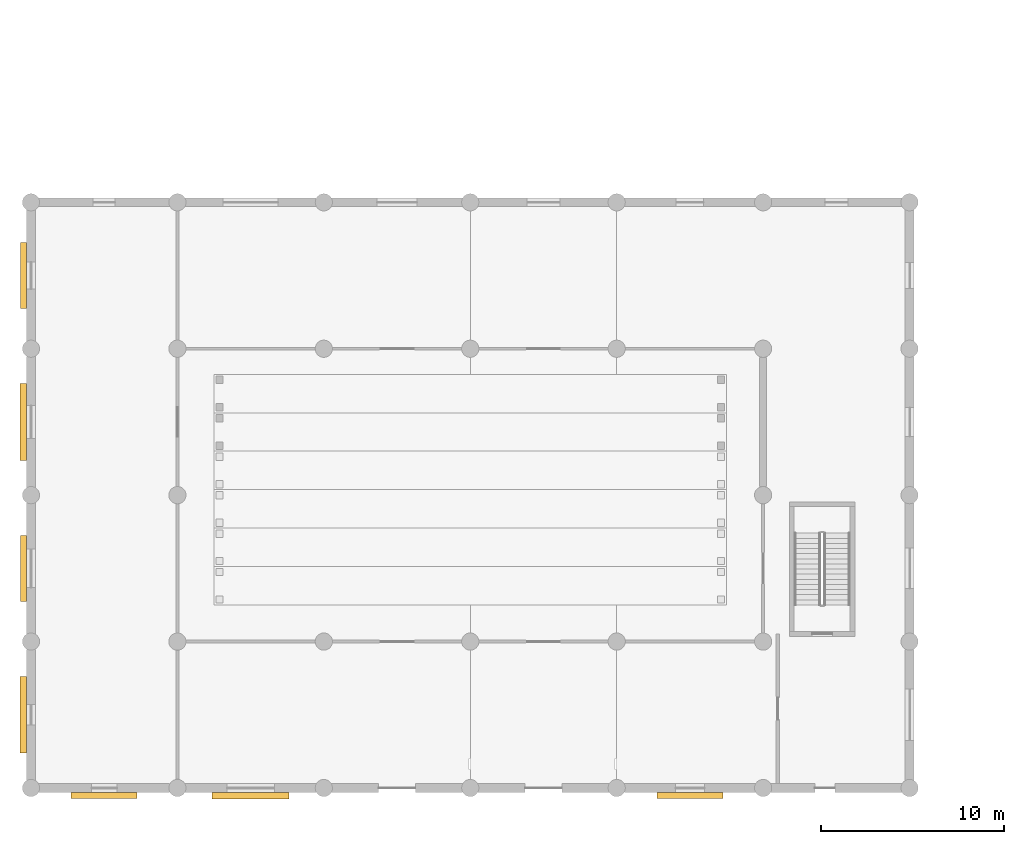
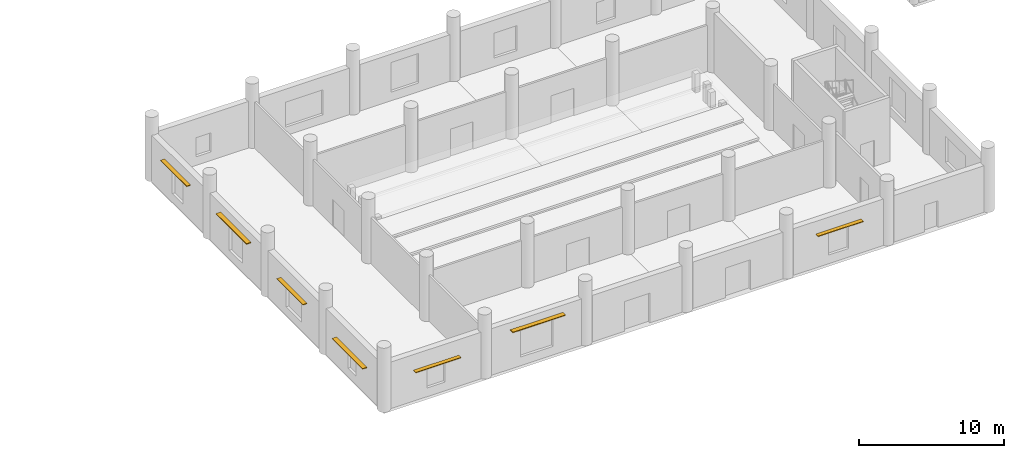
# One storey, part 32 of 42: 7 shading devices.
"""IFC4 building model written with IfcOpenShell, lengths in metres."""

from ifc_helpers import new_model, si_unit, direction, frame, origin, origin_2d, place, context, subcontext, project, spatial, rectangle, extrude, material, type_object, element, save


model = new_model("IFC4")

# Units and contexts
model_context = context("Model", 3, precision=1e-05, world=origin(), true_north=direction((0.0, 1.0)))
body_context = subcontext(model_context, "Body", "Model", "MODEL_VIEW")
ifc_project = project(units=[si_unit("LENGTHUNIT", "METRE"), si_unit("AREAUNIT", "SQUARE_METRE"), si_unit("VOLUMEUNIT", "CUBIC_METRE"), si_unit("PLANEANGLEUNIT", "RADIAN"), si_unit("MASSUNIT", "GRAM", prefix="KILO")], contexts=[model_context])

# Site, building, storey
site_placement = place(None, origin())
site = spatial("IfcSite", under=ifc_project, at=site_placement, CompositionType="ELEMENT")
building_placement = place(site_placement, origin())
building = spatial("IfcBuilding", under=site, at=building_placement, Name="Pecanmere Concourse Central Library", CompositionType="ELEMENT")
storey_placement = place(building_placement, origin())
storey = spatial("IfcBuildingStorey", under=building, at=storey_placement, Name="L01", CompositionType="ELEMENT", Elevation=0.0)

# Shading devices
ifc_material_1 = material(Name="Architectural anodized bronze")
shading_device_type_1 = type_object("IfcShadingDeviceType", Name="SHD_BRISE_1", PredefinedType="AWNING", material=ifc_material_1)
for number, where, z_axis, x_axis, name in (
    (1, (12.0, -0.419921875, 3.25), (0.0, 0.0, 1.0), (1.0, 0.0, 0.0), "Bronze Solar Brise-Soleil L01-002"),
    (2, (-0.419921875, 4.0, 2.349853515625), (0.0, 0.0, 1.0), (0.0, -1.0, 0.0), "Bronze Solar Brise-Soleil L01-004"),
    (3, (-0.419921875, 20.0, 3.14990234375), (0.0, 0.0, 1.0), (0.0, -1.0, 0.0), "Bronze Solar Brise-Soleil L01-006"),
):
    element("IfcShadingDevice", number, at=place(storey_placement, frame(where, z_axis=z_axis, x_axis=x_axis)), inside=storey, type_object=shading_device_type_1, Name=name, PredefinedType="AWNING", context=body_context, shape_type="SweptSolid", body=[
        extrude(rectangle(XDim=4.199951171875, YDim=0.360107421875, at=origin_2d()), origin(), (0.0, 0.0, 1.0), 0.06005859375),
    ])
ifc_material_2 = material(Name="Architectural anodized bronze")
shading_device_type_2 = type_object("IfcShadingDeviceType", Name="SHD_BRISE_2", PredefinedType="AWNING", material=ifc_material_2)
for number, where, z_axis, x_axis, name in (
    (4, (4.0, -0.39990234375, 2.552734375), (0.0, 0.0, 1.0), (1.0, 0.0, 0.0), "Bronze Solar Brise-Soleil L01-001"),
    (5, (36.0, -0.39990234375, 2.802734375), (0.0, 0.0, 1.0), (1.0, 0.0, 0.0), "Bronze Solar Brise-Soleil L01-003"),
    (6, (-0.39990234375, 12.0, 2.70263671875), (0.0, 0.0, 1.0), (0.0, -1.0, 0.0), "Bronze Solar Brise-Soleil L01-005"),
    (7, (-0.39990234375, 28.0, 2.95263671875), (0.0, 0.0, 1.0), (0.0, -1.0, 0.0), "Bronze Solar Brise-Soleil L01-007"),
):
    element("IfcShadingDevice", number, at=place(storey_placement, frame(where, z_axis=z_axis, x_axis=x_axis)), inside=storey, type_object=shading_device_type_2, Name=name, PredefinedType="AWNING", context=body_context, shape_type="SweptSolid", body=[
        extrude(rectangle(XDim=3.60009765625, YDim=0.320068359375, at=origin_2d()), origin(), (0.0, 0.0, 1.0), 0.054931640625),
    ])

save(model, "model.ifc")
